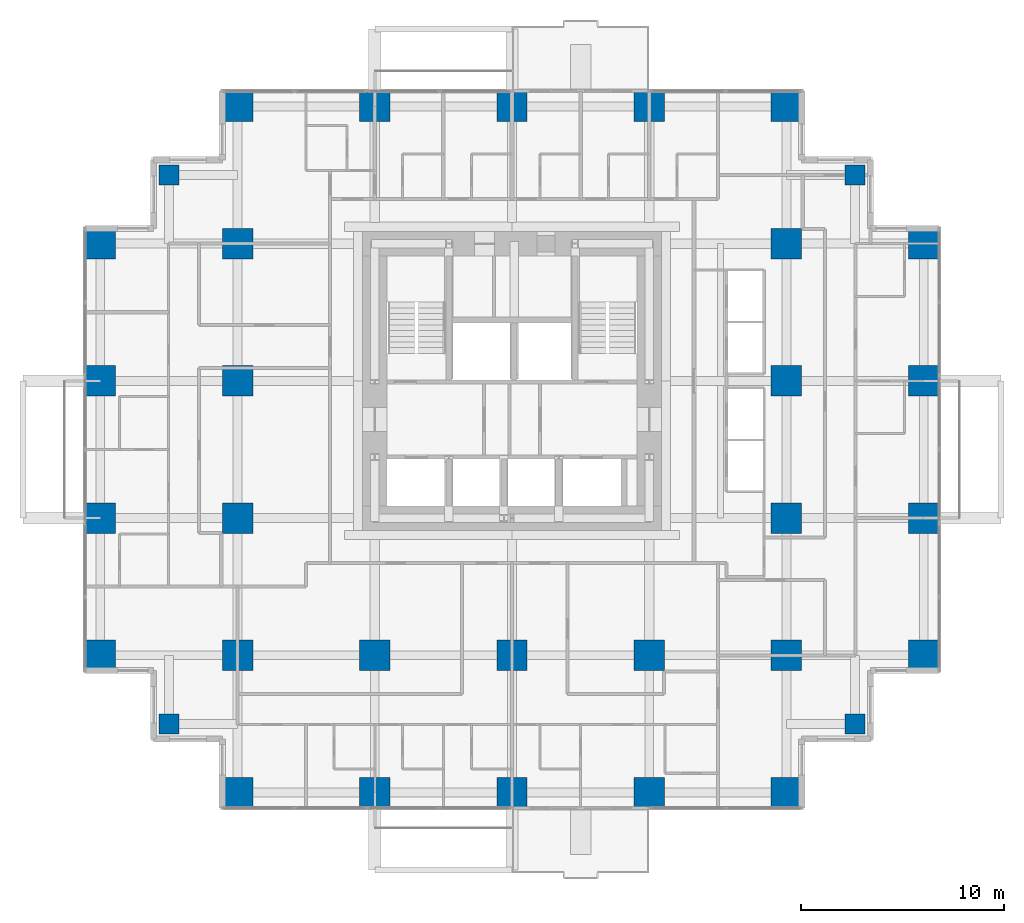
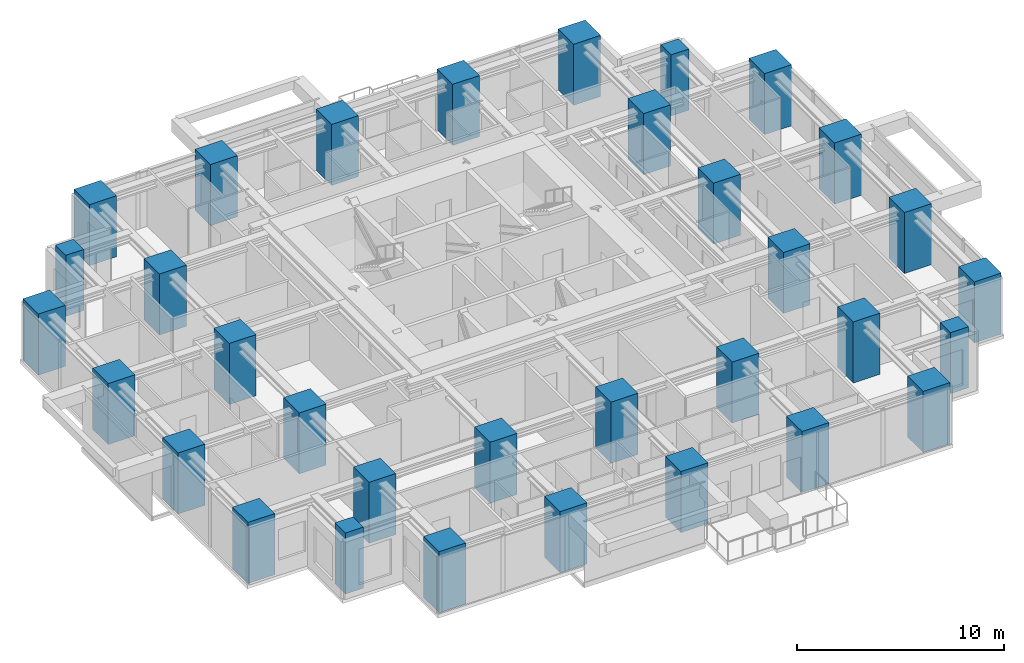
# One storey, part 1 of 12: 33 columns.
"""IFC4 building model written with IfcOpenShell, lengths in metres."""

from ifc_helpers import new_model, si_unit, direction, frame, origin, origin_2d, place, context, subcontext, project, spatial, rectangle, extrude, material, material_profile, profile_set, type_object, element, save


model = new_model("IFC4")

# Units and contexts
model_context = context("Model", 3, precision=1e-05, world=origin(), true_north=direction((0.0, 1.0)))
body_context = subcontext(model_context, "Body", "Model", "MODEL_VIEW")
ifc_project = project(units=[si_unit("LENGTHUNIT", "METRE"), si_unit("AREAUNIT", "SQUARE_METRE"), si_unit("VOLUMEUNIT", "CUBIC_METRE"), si_unit("PLANEANGLEUNIT", "RADIAN"), si_unit("MASSUNIT", "GRAM", prefix="KILO")], contexts=[model_context])

# Site, building, storey
site_placement = place(None, origin())
site = spatial("IfcSite", under=ifc_project, at=site_placement, CompositionType="ELEMENT")
building_placement = place(site_placement, origin())
building = spatial("IfcBuilding", under=site, at=building_placement, Name="Nyansa Garden Tower", CompositionType="ELEMENT")
storey_placement = place(building_placement, frame((0.0, 0.0, 119.699951171875)))
storey = spatial("IfcBuildingStorey", under=building, at=storey_placement, Name="L32", CompositionType="ELEMENT", Elevation=119.699951171875)

# Columns
ifc_material_1 = material(Name="Concrete C70/85", Category="concrete")
ifc_material_profile_1 = material_profile(ifc_material_1, rectangle(XDim=1.0, YDim=1.0, at=origin_2d()), Name="RC 1000x1000")
ifc_profile_set_1 = profile_set([ifc_material_profile_1], Name="Concrete C70/85")
column_type_1 = type_object("IfcColumnType", Name="Column C100 RC 1000x1000", PredefinedType="COLUMN", material=ifc_profile_set_1)
for number, where, z_axis, x_axis, name in (
    (1, (3.375, 3.375, 0.0), (0.0, 0.0, 1.0), (1.0, 0.0, 0.0), "Column x3.375/y3.375 L32"),
    (2, (3.375, 30.375, 0.0), (0.0, 0.0, 1.0), (1.0, 0.0, 0.0), "Column x3.375/y30.375 L32"),
    (3, (37.125, 3.375, 0.0), (0.0, 0.0, 1.0), (1.0, 0.0, 0.0), "Column x37.125/y3.375 L32"),
    (4, (37.125, 30.375, 0.0), (0.0, 0.0, 1.0), (1.0, 0.0, 0.0), "Column x37.125/y30.375 L32"),
):
    element("IfcColumn", number, at=place(storey_placement, frame(where, z_axis=z_axis, x_axis=x_axis)), inside=storey, type_object=column_type_1, Name=name, PredefinedType="COLUMN", context=body_context, shape_type="SweptSolid", body=[
        extrude(rectangle(XDim=1.0, YDim=1.0, at=origin_2d()), origin(), (0.0, 0.0, 1.0), 3.60009765625),
    ])
ifc_material_2 = material(Name="Concrete C80/95", Category="concrete")
ifc_material_profile_2 = material_profile(ifc_material_2, rectangle(XDim=1.5, YDim=1.5, at=origin_2d()), Name="RC 1500x1500")
ifc_profile_set_2 = profile_set([ifc_material_profile_2], Name="Concrete C80/95")
column_type_2 = type_object("IfcColumnType", Name="Column C150 RC 1500x1500", PredefinedType="COLUMN", material=ifc_profile_set_2)
for number, where, z_axis, x_axis, name in (
    (5, (0.0, 6.75, 0.0), (0.0, 0.0, 1.0), (1.0, 0.0, 0.0), "Column 2/E L32"),
    (6, (0.0, 13.5, 0.0), (0.0, 0.0, 1.0), (1.0, 0.0, 0.0), "Column 2/F L32"),
    (7, (0.0, 20.25, 0.0), (0.0, 0.0, 1.0), (1.0, 0.0, 0.0), "Column 2/G L32"),
    (8, (0.0, 27.0, 0.0), (0.0, 0.0, 1.0), (1.0, 0.0, 0.0), "Column 2/H L32"),
    (9, (6.75, 0.0, 0.0), (0.0, 0.0, 1.0), (1.0, 0.0, 0.0), "Column 3/D L32"),
    (10, (6.75, 6.75, 0.0), (0.0, 0.0, 1.0), (1.0, 0.0, 0.0), "Column 3/E L32"),
    (11, (6.75, 13.5, 0.0), (0.0, 0.0, 1.0), (1.0, 0.0, 0.0), "Column 3/F L32"),
    (12, (6.75, 20.25, 0.0), (0.0, 0.0, 1.0), (1.0, 0.0, 0.0), "Column 3/G L32"),
    (13, (6.75, 27.0, 0.0), (0.0, 0.0, 1.0), (1.0, 0.0, 0.0), "Column 3/H L32"),
    (14, (6.75, 33.75, 0.0), (0.0, 0.0, 1.0), (1.0, 0.0, 0.0), "Column 3/J L32"),
    (15, (13.5, 0.0, 0.0), (0.0, 0.0, 1.0), (1.0, 0.0, 0.0), "Column 4/D L32"),
    (16, (13.5, 6.75, 0.0), (0.0, 0.0, 1.0), (1.0, 0.0, 0.0), "Column 4/E L32"),
    (17, (13.5, 33.75, 0.0), (0.0, 0.0, 1.0), (1.0, 0.0, 0.0), "Column 4/J L32"),
    (18, (20.25, 0.0, 0.0), (0.0, 0.0, 1.0), (1.0, 0.0, 0.0), "Column 5/D L32"),
    (19, (20.25, 6.75, 0.0), (0.0, 0.0, 1.0), (1.0, 0.0, 0.0), "Column 5/E L32"),
    (20, (20.25, 33.75, 0.0), (0.0, 0.0, 1.0), (1.0, 0.0, 0.0), "Column 5/J L32"),
    (21, (27.0, 0.0, 0.0), (0.0, 0.0, 1.0), (1.0, 0.0, 0.0), "Column 6/D L32"),
    (22, (27.0, 6.75, 0.0), (0.0, 0.0, 1.0), (1.0, 0.0, 0.0), "Column 6/E L32"),
    (23, (27.0, 33.75, 0.0), (0.0, 0.0, 1.0), (1.0, 0.0, 0.0), "Column 6/J L32"),
    (24, (33.75, 0.0, 0.0), (0.0, 0.0, 1.0), (1.0, 0.0, 0.0), "Column 7/D L32"),
    (25, (33.75, 6.75, 0.0), (0.0, 0.0, 1.0), (1.0, 0.0, 0.0), "Column 7/E L32"),
    (26, (33.75, 13.5, 0.0), (0.0, 0.0, 1.0), (1.0, 0.0, 0.0), "Column 7/F L32"),
    (27, (33.75, 20.25, 0.0), (0.0, 0.0, 1.0), (1.0, 0.0, 0.0), "Column 7/G L32"),
    (28, (33.75, 27.0, 0.0), (0.0, 0.0, 1.0), (1.0, 0.0, 0.0), "Column 7/H L32"),
    (29, (33.75, 33.75, 0.0), (0.0, 0.0, 1.0), (1.0, 0.0, 0.0), "Column 7/J L32"),
    (30, (40.5, 6.75, 0.0), (0.0, 0.0, 1.0), (1.0, 0.0, 0.0), "Column 8/E L32"),
    (31, (40.5, 13.5, 0.0), (0.0, 0.0, 1.0), (1.0, 0.0, 0.0), "Column 8/F L32"),
    (32, (40.5, 20.25, 0.0), (0.0, 0.0, 1.0), (1.0, 0.0, 0.0), "Column 8/G L32"),
    (33, (40.5, 27.0, 0.0), (0.0, 0.0, 1.0), (1.0, 0.0, 0.0), "Column 8/H L32"),
):
    element("IfcColumn", number, at=place(storey_placement, frame(where, z_axis=z_axis, x_axis=x_axis)), inside=storey, type_object=column_type_2, Name=name, PredefinedType="COLUMN", context=body_context, shape_type="SweptSolid", body=[
        extrude(rectangle(XDim=1.5, YDim=1.5, at=origin_2d()), origin(), (0.0, 0.0, 1.0), 3.60009765625),
    ])

save(model, "model.ifc")
